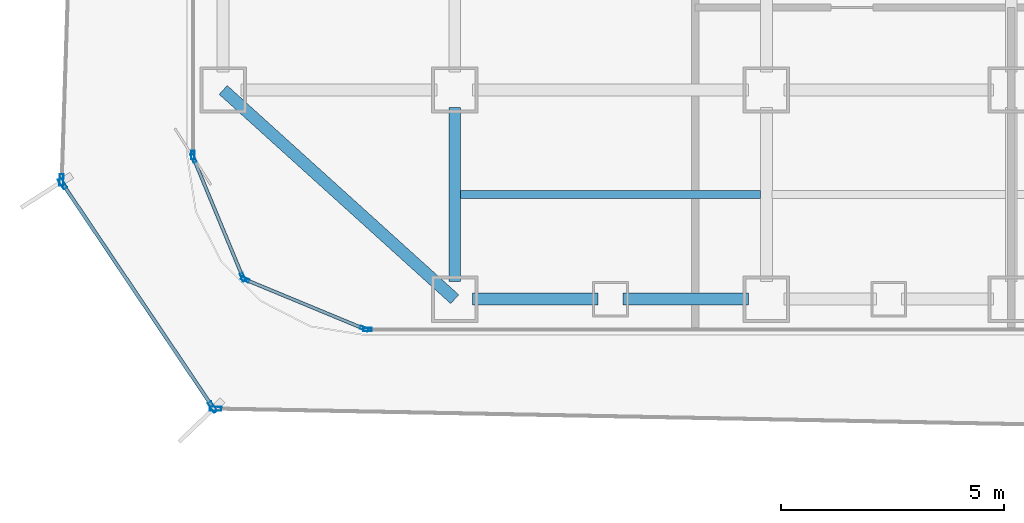
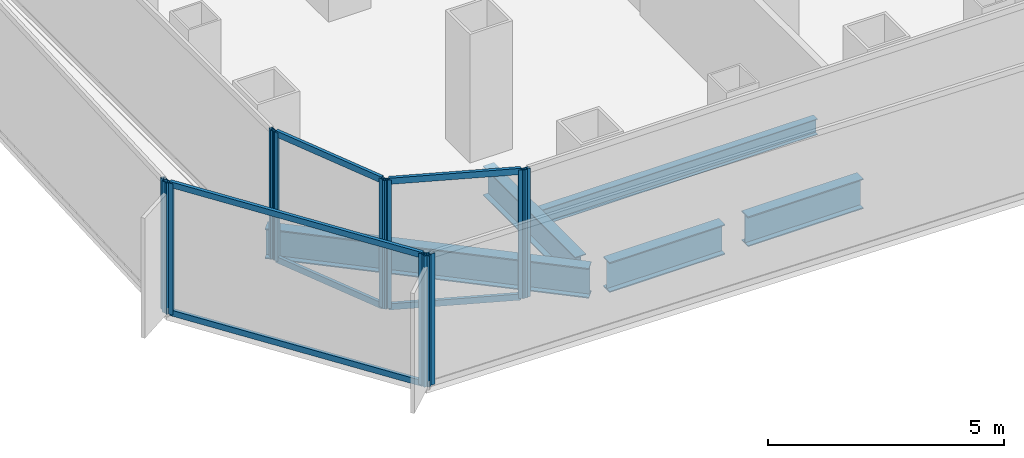
# One storey, part 2 of 21: 16 members, 5 beams, 7 elements without a shape of their own.
"""IFC4 building model written with IfcOpenShell, lengths in metres."""

from ifc_helpers import new_model, si_unit, direction, frame, origin, origin_2d, place, context, subcontext, project, spatial, hollow_rectangle, i_section, extrude, source, transform, mapped, material, layer, layer_set, material_profile, profile_set, type_object, element, aggregate, save


model = new_model("IFC4")

# Units and contexts
model_context = context("Model", 3, precision=1e-05, world=origin(), true_north=direction((0.0, 1.0)))
body_context = subcontext(model_context, "Body", "Model", "MODEL_VIEW")
ifc_project = project(units=[si_unit("LENGTHUNIT", "METRE"), si_unit("AREAUNIT", "SQUARE_METRE"), si_unit("VOLUMEUNIT", "CUBIC_METRE"), si_unit("PLANEANGLEUNIT", "RADIAN"), si_unit("MASSUNIT", "GRAM", prefix="KILO")], contexts=[model_context])

# Site, building, storey
site_placement = place(None, origin())
site = spatial("IfcSite", under=ifc_project, at=site_placement, CompositionType="ELEMENT")
building_placement = place(site_placement, origin())
building = spatial("IfcBuilding", under=site, at=building_placement, Name="Kolveth Station Tower", CompositionType="ELEMENT")
storey_placement = place(building_placement, frame((0.0, 0.0, 33.300048828125)))
storey = spatial("IfcBuildingStorey", under=building, at=storey_placement, Name="L08", CompositionType="ELEMENT", Elevation=33.300048828125)

# Beams
ifc_material_1 = material(Name="Steel S355", Category="steel")
ifc_material_profile_1 = material_profile(ifc_material_1, i_section(OverallWidth=0.26904296875, OverallDepth=0.77490234375, WebThickness=0.01708984375, FlangeThickness=0.0283203125, at=origin_2d()), Name="W760x220")
ifc_profile_set_1 = profile_set([ifc_material_profile_1], Name="Steel S355")
beam_type_1 = type_object("IfcBeamType", Name="Beam_SP1", PredefinedType="SPANDREL", material=ifc_profile_set_1)
shared_shape_1 = source(origin(), body_context, "Body", "SweptSolid", [
    extrude(i_section(OverallWidth=0.26904296875, OverallDepth=0.77490234375, WebThickness=0.01708984375, FlangeThickness=0.0283203125, at=origin_2d()), origin(), (0.0, 0.0, 1.0), 7.00927734375),
])
beam_1_placement = place(storey_placement, frame((0.800048828125, 5.5, -0.66748046875), z_axis=(0.741874009795, -0.670539300557, 0.0), x_axis=(0.670539300557, 0.741874009795, 0.0)))
element("IfcBeam", 1, at=beam_1_placement, inside=storey, type_object=beam_type_1, Name="L08 Corner Edge Girder BM-L08-CNR-SW", PredefinedType="SPANDREL", context=body_context, shape_type="MappedRepresentation", body=[
    mapped(shared_shape_1, transform((0.0, 0.0, 0.0), x_axis=(1.0, 0.0, 0.0), y_axis=(0.0, 1.0, 0.0), z_axis=(0.0, 0.0, 1.0), scale=1.0)),
])
shared_shape_2 = source(origin(), body_context, "Body", "SweptSolid", [
    extrude(i_section(OverallWidth=0.26904296875, OverallDepth=0.77490234375, WebThickness=0.01708984375, FlangeThickness=0.0283203125, at=origin_2d()), origin(), (0.0, 0.0, 1.0), 2.820068359375),
])
for number, where, z_axis, x_axis, name in (
    (2, (6.39990234375, 0.800048828125, -0.66748046875), (1.0, 0.0, 0.0), (0.0, 1.0, 0.0), "L08 Perimeter Spandrel BM-L08-PS-1"),
    (3, (9.780029296875, 0.800048828125, -0.66748046875), (1.0, 0.0, 0.0), (0.0, 1.0, 0.0), "L08 Perimeter Spandrel BM-L08-PS-2"),
):
    element("IfcBeam", number, at=place(storey_placement, frame(where, z_axis=z_axis, x_axis=x_axis)), inside=storey, type_object=beam_type_1, Name=name, PredefinedType="SPANDREL", context=body_context, shape_type="MappedRepresentation", body=[
        mapped(shared_shape_2, transform((0.0, 0.0, 0.0), x_axis=(1.0, 0.0, 0.0), y_axis=(0.0, 1.0, 0.0), z_axis=(0.0, 0.0, 1.0), scale=1.0)),
    ])
ifc_material_profile_2 = material_profile(ifc_material_1, i_section(OverallWidth=0.26708984375, OverallDepth=0.76611328125, WebThickness=0.014892578125, FlangeThickness=0.023681640625, at=origin_2d()), Name="W760x185")
ifc_profile_set_2 = profile_set([ifc_material_profile_2], Name="Steel S355")
beam_type_2 = type_object("IfcBeamType", Name="Beam_B3", PredefinedType="BEAM", material=ifc_profile_set_2)
shared_shape_3 = source(origin(), body_context, "Body", "SweptSolid", [
    extrude(i_section(OverallWidth=0.26708984375, OverallDepth=0.76611328125, WebThickness=0.014892578125, FlangeThickness=0.023681640625, at=origin_2d()), origin(), (0.0, 0.0, 1.0), 3.900146484375),
])
beam_2_placement = place(storey_placement, frame((6.0, 1.199951171875, -0.6630859375), z_axis=(0.0, 1.0, 0.0), x_axis=(-1.0, 0.0, 0.0)))
element("IfcBeam", 4, at=beam_2_placement, inside=storey, type_object=beam_type_2, Name="L08 Primary Girder BM-L08-GX60-1", PredefinedType="BEAM", context=body_context, shape_type="MappedRepresentation", body=[
    mapped(shared_shape_3, transform((0.0, 0.0, 0.0), x_axis=(1.0, 0.0, 0.0), y_axis=(0.0, 1.0, 0.0), z_axis=(0.0, 0.0, 1.0), scale=1.0)),
])
ifc_material_profile_3 = material_profile(ifc_material_1, i_section(OverallWidth=0.177978515625, OverallDepth=0.406982421875, WebThickness=0.0078125, FlangeThickness=0.0126953125, at=origin_2d()), Name="W410x60")
ifc_profile_set_3 = profile_set([ifc_material_profile_3], Name="Steel S355")
beam_type_3 = type_object("IfcBeamType", Name="Beam_J1", PredefinedType="JOIST", material=ifc_profile_set_3)
shared_shape_4 = source(origin(), body_context, "Body", "SweptSolid", [
    extrude(i_section(OverallWidth=0.177978515625, OverallDepth=0.406982421875, WebThickness=0.0078125, FlangeThickness=0.0126953125, at=origin_2d()), origin(), (0.0, 0.0, 1.0), 6.73681640625),
])
beam_3_placement = place(storey_placement, frame((6.131591796875, 3.14990234375, -0.483642578125), z_axis=(1.0, 0.0, 0.0), x_axis=(0.0, 1.0, 0.0)))
element("IfcBeam", 5, at=beam_3_placement, inside=storey, type_object=beam_type_3, Name="L08 Secondary Joist JST-L08-2-1", PredefinedType="JOIST", context=body_context, shape_type="MappedRepresentation", body=[
    mapped(shared_shape_4, transform((0.0, 0.0, 0.0), x_axis=(1.0, 0.0, 0.0), y_axis=(0.0, 1.0, 0.0), z_axis=(0.0, 0.0, 1.0), scale=1.0)),
])

# Curtain wall, member
ifc_material_2 = material(Name="Aluminium 6063-T6 and low-E dark glass", Category="aluminium")
ifc_layer_1 = layer(ifc_material_2, 0.179931640625)
ifc_layer_set_1 = layer_set([ifc_layer_1], Name="Aluminium 6063-T6 and low-E dark glass")
curtain_wall_type_1 = type_object("IfcCurtainWallType", Name="CurtainWall_CW-Z1", PredefinedType="NOTDEFINED", material=ifc_layer_set_1)
curtain_wall_1_placement = place(storey_placement, origin())
curtain_wall_1 = element("IfcCurtainWall", 6, at=curtain_wall_1_placement, inside=storey, type_object=curtain_wall_type_1, Name="L08 Inner Thermal Curtain Wall 9", PredefinedType="NOTDEFINED")
ifc_material_3 = material(Name="Black anodized aluminium 6063-T6", Category="aluminium")
ifc_material_profile_4 = material_profile(ifc_material_3, hollow_rectangle(XDim=0.074951171875, YDim=0.18994140625, WallThickness=0.0048828125, at=origin_2d()), Name="ALU-75x190x5")
ifc_profile_set_4 = profile_set([ifc_material_profile_4], Name="Black anodized aluminium 6063-T6")
member_type_1 = type_object("IfcMemberType", Name="Mullion_ML1", PredefinedType="MULLION", material=ifc_profile_set_4)
shared_shape_5 = source(origin(), body_context, "Body", "SweptSolid", [
    extrude(hollow_rectangle(XDim=0.074951171875, YDim=0.18994140625, WallThickness=0.0048828125, at=origin_2d()), origin(), (0.0, 0.0, 1.0), 3.320068359375),
])
member_1_placement = place(storey_placement, frame((0.1201171875, 4.03759765625, 0.0), z_axis=(0.0, 0.0, 1.0), x_axis=(1.0, 0.0, 0.0)))
member_1 = element("IfcMember", 7, at=member_1_placement, type_object=member_type_1, Name="CW-Z1 mullion 2", PredefinedType="MULLION", context=body_context, shape_type="MappedRepresentation", body=[
    mapped(shared_shape_5, transform((0.0, 0.0, 0.0), x_axis=(1.0, 0.0, 0.0), y_axis=(0.0, 1.0, 0.0), z_axis=(0.0, 0.0, 1.0), scale=1.0)),
])
aggregate(curtain_wall_1, [member_1])

# Curtain wall, members
curtain_wall_2_placement = place(storey_placement, origin())
curtain_wall_2 = element("IfcCurtainWall", 8, at=curtain_wall_2_placement, inside=storey, type_object=curtain_wall_type_1, Name="L08 Inner Thermal Curtain Wall 10", PredefinedType="NOTDEFINED")
member_2_placement = place(storey_placement, frame((0.13427734375, 3.96533203125, 0.0), z_axis=(0.0, 0.0, 1.0), x_axis=(0.923883857728, 0.382672990201, 0.0)))
member_2 = element("IfcMember", 9, at=member_2_placement, type_object=member_type_1, Name="CW-Z1 mullion 1", PredefinedType="MULLION", context=body_context, shape_type="MappedRepresentation", body=[
    mapped(shared_shape_5, transform((0.0, 0.0, 0.0), x_axis=(1.0, 0.0, 0.0), y_axis=(0.0, 1.0, 0.0), z_axis=(0.0, 0.0, 1.0), scale=1.0)),
])
member_3_placement = place(storey_placement, frame((1.241943359375, 1.291015625, 0.0), z_axis=(0.0, 0.0, 1.0), x_axis=(0.923883857728, 0.382672990201, 0.0)))
member_3 = element("IfcMember", 10, at=member_3_placement, type_object=member_type_1, Name="CW-Z1 mullion 2", PredefinedType="MULLION", context=body_context, shape_type="MappedRepresentation", body=[
    mapped(shared_shape_5, transform((0.0, 0.0, 0.0), x_axis=(1.0, 0.0, 0.0), y_axis=(0.0, 1.0, 0.0), z_axis=(0.0, 0.0, 1.0), scale=1.0)),
])

curtain_wall_3_placement = place(storey_placement, origin())
curtain_wall_3 = element("IfcCurtainWall", 11, at=curtain_wall_3_placement, inside=storey, type_object=curtain_wall_type_1, Name="L08 Inner Thermal Curtain Wall 11", PredefinedType="NOTDEFINED")
member_4_placement = place(storey_placement, frame((1.291015625, 1.241943359375, 0.0), z_axis=(0.0, 0.0, 1.0), x_axis=(0.382672990201, 0.923883857728, 0.0)))
member_4 = element("IfcMember", 12, at=member_4_placement, type_object=member_type_1, Name="CW-Z1 mullion 1", PredefinedType="MULLION", context=body_context, shape_type="MappedRepresentation", body=[
    mapped(shared_shape_5, transform((0.0, 0.0, 0.0), x_axis=(1.0, 0.0, 0.0), y_axis=(0.0, 1.0, 0.0), z_axis=(0.0, 0.0, 1.0), scale=1.0)),
])
member_5_placement = place(storey_placement, frame((3.96533203125, 0.13427734375, 0.0), z_axis=(0.0, 0.0, 1.0), x_axis=(0.382672990201, 0.923883857728, 0.0)))
member_5 = element("IfcMember", 13, at=member_5_placement, type_object=member_type_1, Name="CW-Z1 mullion 2", PredefinedType="MULLION", context=body_context, shape_type="MappedRepresentation", body=[
    mapped(shared_shape_5, transform((0.0, 0.0, 0.0), x_axis=(1.0, 0.0, 0.0), y_axis=(0.0, 1.0, 0.0), z_axis=(0.0, 0.0, 1.0), scale=1.0)),
])

# Curtain wall, member
curtain_wall_4_placement = place(storey_placement, origin())
curtain_wall_4 = element("IfcCurtainWall", 14, at=curtain_wall_4_placement, inside=storey, type_object=curtain_wall_type_1, Name="L08 Inner Thermal Curtain Wall 12", PredefinedType="NOTDEFINED")
member_6_placement = place(storey_placement, frame((4.03759765625, 0.1201171875, 0.0), z_axis=(0.0, 0.0, 1.0), x_axis=(0.0, 1.0, 0.0)))
member_6 = element("IfcMember", 15, at=member_6_placement, type_object=member_type_1, Name="CW-Z1 mullion 1", PredefinedType="MULLION", context=body_context, shape_type="MappedRepresentation", body=[
    mapped(shared_shape_5, transform((0.0, 0.0, 0.0), x_axis=(1.0, 0.0, 0.0), y_axis=(0.0, 1.0, 0.0), z_axis=(0.0, 0.0, 1.0), scale=1.0)),
])
aggregate(curtain_wall_4, [member_6])

# Member
ifc_material_profile_5 = material_profile(ifc_material_3, hollow_rectangle(XDim=0.074951171875, YDim=0.159912109375, WallThickness=0.0048828125, at=origin_2d()), Name="ALU-75x160x5")
ifc_profile_set_5 = profile_set([ifc_material_profile_5], Name="Black anodized aluminium 6063-T6")
member_type_2 = type_object("IfcMemberType", Name="Transom_TR1", PredefinedType="USERDEFINED", material=ifc_profile_set_5)
shared_shape_6 = source(origin(), body_context, "Body", "SweptSolid", [
    extrude(hollow_rectangle(XDim=0.074951171875, YDim=0.159912109375, WallThickness=0.0048828125, at=origin_2d()), origin(), (0.0, 0.0, 1.0), 2.819580078125),
])
member_7_placement = place(storey_placement, frame((0.148681640625, 3.9306640625, 0.037353515625), z_axis=(0.382708655389, -0.923869084389, 0.0), x_axis=(0.923869084389, 0.382708655389, 0.0)))
member_7 = element("IfcMember", 16, at=member_7_placement, type_object=member_type_2, Name="CW-Z1 transom 1.1", ObjectType="TRANSOM", PredefinedType="USERDEFINED", context=body_context, shape_type="MappedRepresentation", body=[
    mapped(shared_shape_6, transform((0.0, 0.0, 0.0), x_axis=(1.0, 0.0, 0.0), y_axis=(0.0, 1.0, 0.0), z_axis=(0.0, 0.0, 1.0), scale=1.0)),
])

member_8_placement = place(storey_placement, frame((0.148681640625, 3.9306640625, 3.282470703125), z_axis=(0.382708655389, -0.923869084389, 0.0), x_axis=(0.923869084389, 0.382708655389, 0.0)))
member_8 = element("IfcMember", 17, at=member_8_placement, type_object=member_type_2, Name="CW-Z1 transom 1.2", ObjectType="TRANSOM", PredefinedType="USERDEFINED", context=body_context, shape_type="MappedRepresentation", body=[
    mapped(shared_shape_6, transform((0.0, 0.0, 0.0), x_axis=(1.0, 0.0, 0.0), y_axis=(0.0, 1.0, 0.0), z_axis=(0.0, 0.0, 1.0), scale=1.0)),
])

aggregate(curtain_wall_2, [member_2, member_3, member_7, member_8])

member_9_placement = place(storey_placement, frame((1.32568359375, 1.227783203125, 0.037353515625), z_axis=(0.923869084389, -0.382708655389, 0.0), x_axis=(0.382708655389, 0.923869084389, 0.0)))
member_9 = element("IfcMember", 18, at=member_9_placement, type_object=member_type_2, Name="CW-Z1 transom 1.1", ObjectType="TRANSOM", PredefinedType="USERDEFINED", context=body_context, shape_type="MappedRepresentation", body=[
    mapped(shared_shape_6, transform((0.0, 0.0, 0.0), x_axis=(1.0, 0.0, 0.0), y_axis=(0.0, 1.0, 0.0), z_axis=(0.0, 0.0, 1.0), scale=1.0)),
])

member_10_placement = place(storey_placement, frame((1.32568359375, 1.227783203125, 3.282470703125), z_axis=(0.923869084389, -0.382708655389, 0.0), x_axis=(0.382708655389, 0.923869084389, 0.0)))
member_10 = element("IfcMember", 19, at=member_10_placement, type_object=member_type_2, Name="CW-Z1 transom 1.2", ObjectType="TRANSOM", PredefinedType="USERDEFINED", context=body_context, shape_type="MappedRepresentation", body=[
    mapped(shared_shape_6, transform((0.0, 0.0, 0.0), x_axis=(1.0, 0.0, 0.0), y_axis=(0.0, 1.0, 0.0), z_axis=(0.0, 0.0, 1.0), scale=1.0)),
])

aggregate(curtain_wall_3, [member_4, member_5, member_9, member_10])

# Curtain wall, member
ifc_material_4 = material(Name="Black anodized aluminium 6063-T6 and dark solar glass", Category="aluminium")
ifc_layer_2 = layer(ifc_material_4, 0.159912109375)
ifc_layer_set_2 = layer_set([ifc_layer_2], Name="Black anodized aluminium 6063-T6 and dark solar glass")
curtain_wall_type_2 = type_object("IfcCurtainWallType", Name="OUTER SKIN CW-OS", PredefinedType="NOTDEFINED", material=ifc_layer_set_2)
curtain_wall_5_placement = place(storey_placement, origin())
curtain_wall_5 = element("IfcCurtainWall", 20, at=curtain_wall_5_placement, inside=storey, type_object=curtain_wall_type_2, Name="L08 Outer Ventilated Skin Curtain Wall 6", PredefinedType="NOTDEFINED")
ifc_material_profile_6 = material_profile(ifc_material_3, hollow_rectangle(XDim=0.090087890625, YDim=0.260009765625, WallThickness=0.0048828125, at=origin_2d()), Name="ALU-90x260x5")
ifc_profile_set_6 = profile_set([ifc_material_profile_6], Name="Black anodized aluminium 6063-T6")
member_type_3 = type_object("IfcMemberType", Name="FIN MULLION ML-OS", PredefinedType="MULLION", material=ifc_profile_set_6)
shared_shape_7 = source(origin(), body_context, "Body", "SweptSolid", [
    extrude(hollow_rectangle(XDim=0.090087890625, YDim=0.260009765625, WallThickness=0.0048828125, at=origin_2d()), origin(), (0.0, 0.0, 1.0), 3.389892578125),
])
member_11_placement = place(storey_placement, frame((-2.83203125, 3.479736328125, 0.0), z_axis=(0.0, 0.0, 1.0), x_axis=(0.999468991483, -0.032584276324, 0.0)))
member_11 = element("IfcMember", 21, at=member_11_placement, type_object=member_type_3, Name="CW-OS mullion 2", PredefinedType="MULLION", context=body_context, shape_type="MappedRepresentation", body=[
    mapped(shared_shape_7, transform((0.0, 0.0, 0.0), x_axis=(1.0, 0.0, 0.0), y_axis=(0.0, 1.0, 0.0), z_axis=(0.0, 0.0, 1.0), scale=1.0)),
])
aggregate(curtain_wall_5, [member_11])

# Curtain wall, members
curtain_wall_6_placement = place(storey_placement, origin())
curtain_wall_6 = element("IfcCurtainWall", 22, at=curtain_wall_6_placement, inside=storey, type_object=curtain_wall_type_2, Name="L08 Outer Ventilated Skin Curtain Wall 7", PredefinedType="NOTDEFINED")
member_12_placement = place(storey_placement, frame((-2.808349609375, 3.397216796875, 0.0), z_axis=(0.0, 0.0, 1.0), x_axis=(0.8302684271, 0.557363740264, 0.0)))
member_12 = element("IfcMember", 23, at=member_12_placement, type_object=member_type_3, Name="CW-OS mullion 1", PredefinedType="MULLION", context=body_context, shape_type="MappedRepresentation", body=[
    mapped(shared_shape_7, transform((0.0, 0.0, 0.0), x_axis=(1.0, 0.0, 0.0), y_axis=(0.0, 1.0, 0.0), z_axis=(0.0, 0.0, 1.0), scale=1.0)),
])
member_13_placement = place(storey_placement, frame((0.5615234375, -1.62255859375, 0.0), z_axis=(0.0, 0.0, 1.0), x_axis=(0.8302684271, 0.557363740264, 0.0)))
member_13 = element("IfcMember", 24, at=member_13_placement, type_object=member_type_3, Name="CW-OS mullion 2", PredefinedType="MULLION", context=body_context, shape_type="MappedRepresentation", body=[
    mapped(shared_shape_7, transform((0.0, 0.0, 0.0), x_axis=(1.0, 0.0, 0.0), y_axis=(0.0, 1.0, 0.0), z_axis=(0.0, 0.0, 1.0), scale=1.0)),
])

# Curtain wall, member
curtain_wall_7_placement = place(storey_placement, origin())
curtain_wall_7 = element("IfcCurtainWall", 25, at=curtain_wall_7_placement, inside=storey, type_object=curtain_wall_type_2, Name="L08 Outer Ventilated Skin Curtain Wall 8", PredefinedType="NOTDEFINED")
member_14_placement = place(storey_placement, frame((0.631591796875, -1.660888671875, 0.0), z_axis=(0.0, 0.0, 1.0), x_axis=(0.019366016544, 0.999812461116, 0.0)))
member_14 = element("IfcMember", 26, at=member_14_placement, type_object=member_type_3, Name="CW-OS mullion 1", PredefinedType="MULLION", context=body_context, shape_type="MappedRepresentation", body=[
    mapped(shared_shape_7, transform((0.0, 0.0, 0.0), x_axis=(1.0, 0.0, 0.0), y_axis=(0.0, 1.0, 0.0), z_axis=(0.0, 0.0, 1.0), scale=1.0)),
])
aggregate(curtain_wall_7, [member_14])

# Member
ifc_material_profile_7 = material_profile(ifc_material_3, hollow_rectangle(XDim=0.080078125, YDim=0.14990234375, WallThickness=0.0048828125, at=origin_2d()), Name="ALU-80x150x5")
ifc_profile_set_7 = profile_set([ifc_material_profile_7], Name="Black anodized aluminium 6063-T6")
member_type_4 = type_object("IfcMemberType", Name="Transom_TR-OS", PredefinedType="USERDEFINED", material=ifc_profile_set_7)
shared_shape_8 = source(origin(), body_context, "Body", "SweptSolid", [
    extrude(hollow_rectangle(XDim=0.080078125, YDim=0.14990234375, WallThickness=0.0048828125, at=origin_2d()), origin(), (0.0, 0.0, 1.0), 5.9560546875),
])
member_15_placement = place(storey_placement, frame((-2.783447265625, 3.35986328125, 0.0400390625), z_axis=(0.557383734808, -0.830255004304, 0.0), x_axis=(0.830255004304, 0.557383734808, 0.0)))
member_15 = element("IfcMember", 27, at=member_15_placement, type_object=member_type_4, Name="CW-OS transom 1.1", ObjectType="TRANSOM", PredefinedType="USERDEFINED", context=body_context, shape_type="MappedRepresentation", body=[
    mapped(shared_shape_8, transform((0.0, 0.0, 0.0), x_axis=(1.0, 0.0, 0.0), y_axis=(0.0, 1.0, 0.0), z_axis=(0.0, 0.0, 1.0), scale=1.0)),
])

member_16_placement = place(storey_placement, frame((-2.783447265625, 3.35986328125, 3.349853515625), z_axis=(0.557383734808, -0.830255004304, 0.0), x_axis=(0.830255004304, 0.557383734808, 0.0)))
member_16 = element("IfcMember", 28, at=member_16_placement, type_object=member_type_4, Name="CW-OS transom 1.2", ObjectType="TRANSOM", PredefinedType="USERDEFINED", context=body_context, shape_type="MappedRepresentation", body=[
    mapped(shared_shape_8, transform((0.0, 0.0, 0.0), x_axis=(1.0, 0.0, 0.0), y_axis=(0.0, 1.0, 0.0), z_axis=(0.0, 0.0, 1.0), scale=1.0)),
])

aggregate(curtain_wall_6, [member_12, member_13, member_15, member_16])

save(model, "model.ifc")
